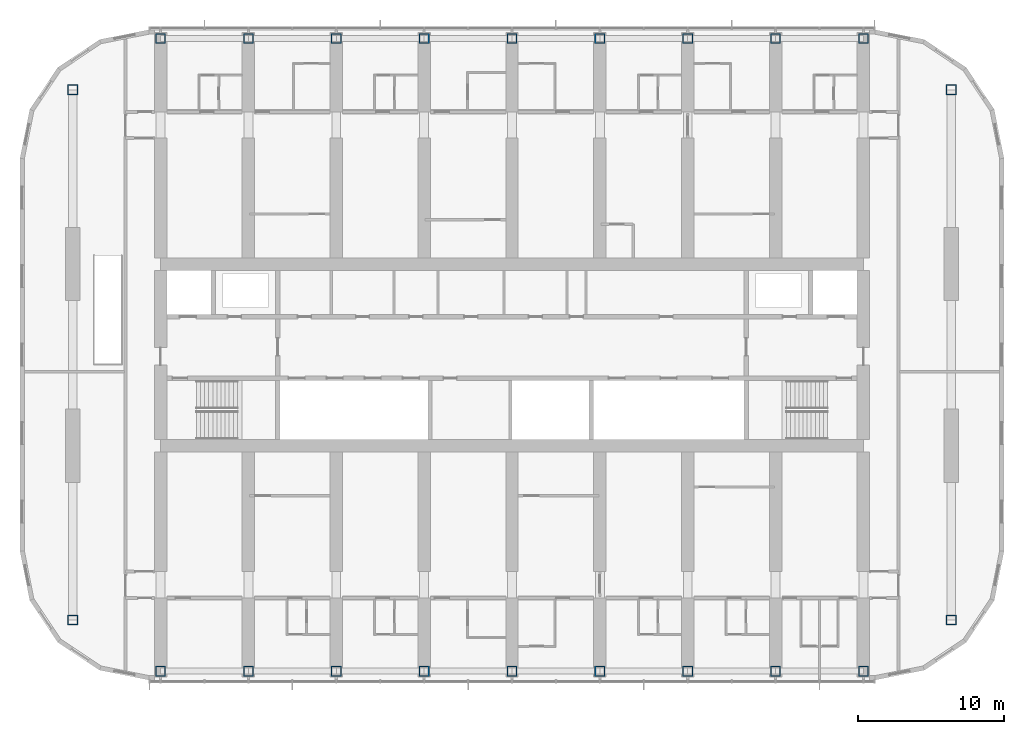
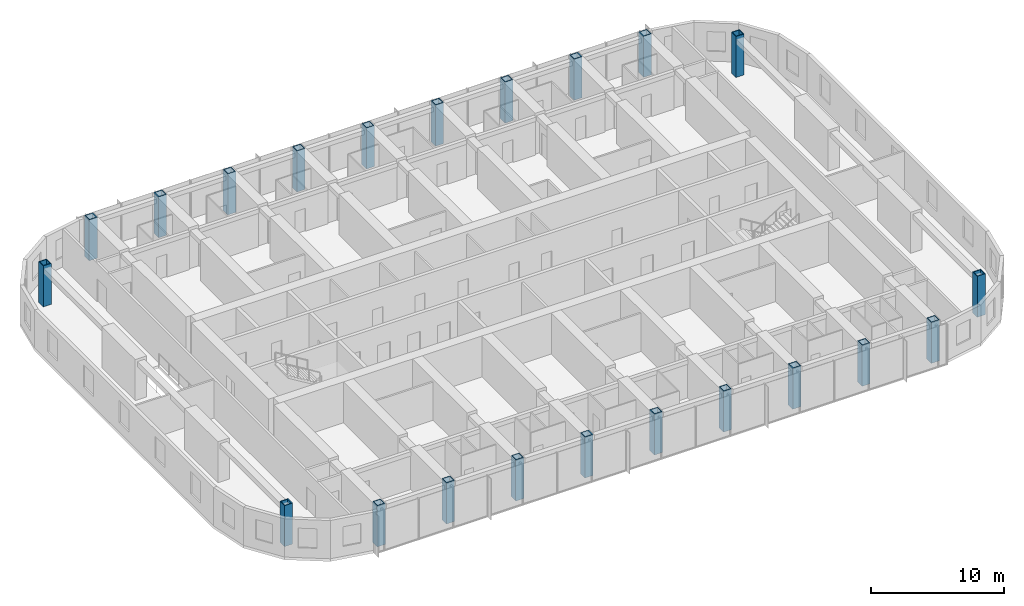
# One storey, part 1 of 22: 22 columns.
"""IFC4 building model written with IfcOpenShell, lengths in metres."""

import ifcopenshell
import ifcopenshell.guid

model = None  # the IFC model being written
_history = None  # IfcOwnerHistory: only IFC2X3 demands one
_inside = {}  # id of a spatial element -> (the spatial element, [elements in it])
_under = {}  # id of a project, library or spatial element -> (it, [spatial elements below it])
_declared = {}  # id of a project -> (the project, [libraries it declares])
_typed = {}  # id of a type object -> (the type object, [elements of that type])
_made_of = {}  # id of a material, layer set ... -> (it, [elements and type objects made of it])


def new_model(schema):
    """Start an empty IFC model of exactly this schema.

    Asked for "IFC4X3", IfcOpenShell would pick the latest addendum, in which some entities
    have other attributes; the version numbers below select the first issue.
    IFC2X3 requires an IfcOwnerHistory on every rooted entity: one is made here for all.
    """
    global model, _history
    if schema == "IFC4X3":
        model = ifcopenshell.file(schema_version=(4, 3, 0, 0))
    else:
        model = ifcopenshell.file(schema=schema)
    _inside.clear()
    _under.clear()
    _declared.clear()
    _typed.clear()
    _made_of.clear()
    _history = None
    if model.schema == "IFC2X3":
        org = make("IfcOrganization", Name="unknown")
        user = make(
            "IfcPersonAndOrganization",
            ThePerson=make("IfcPerson", FamilyName="unknown"),
            TheOrganization=org,
        )
        app = make(
            "IfcApplication",
            ApplicationDeveloper=org,
            Version="unknown",
            ApplicationFullName="unknown",
            ApplicationIdentifier="unknown",
        )
        _history = make(
            "IfcOwnerHistory",
            OwningUser=user,
            OwningApplication=app,
            ChangeAction="ADDED",
            CreationDate=0,
        )
    return model


def make(cls, **values):
    """One entity of the class cls with the attributes given. An attribute that is None is left unset."""
    return model.create_entity(
        cls, **{name: value for name, value in values.items() if value is not None}
    )


def rooted(cls, **values):
    """An entity with a GlobalId (a new one), such as an element, a storey or a relation."""
    return make(cls, GlobalId=ifcopenshell.guid.new(), OwnerHistory=_history, **values)


def si_unit(unit_type, name, prefix=None):
    """IfcSIUnit, for example si_unit("LENGTHUNIT", "METRE", prefix="MILLI")."""
    return make("IfcSIUnit", UnitType=unit_type, Prefix=prefix, Name=name)


def assignment(units):
    """IfcUnitAssignment: the units of a project."""
    return None if units is None else make("IfcUnitAssignment", Units=units)


def point(xyz):
    """IfcCartesianPoint."""
    return None if xyz is None else make("IfcCartesianPoint", Coordinates=xyz)


def direction(xyz):
    """IfcDirection."""
    return None if xyz is None else make("IfcDirection", DirectionRatios=xyz)


def frame(location, z_axis=None, x_axis=None):
    """IfcAxis2Placement3D, a coordinate frame: its origin and axes. An axis left out is left unset."""
    return make(
        "IfcAxis2Placement3D",
        Location=point(location),
        Axis=direction(z_axis),
        RefDirection=direction(x_axis),
    )


def frame_2d(location, x_axis=None):
    """IfcAxis2Placement2D, a coordinate frame in the plane: its origin and x axis."""
    return make(
        "IfcAxis2Placement2D", Location=point(location), RefDirection=direction(x_axis)
    )


def origin():
    """The frame at (0, 0, 0) with its axes left unset."""
    return frame((0.0, 0.0, 0.0))


def origin_2d():
    """The frame at (0, 0) in the plane with its x axis left unset."""
    return frame_2d((0.0, 0.0))


def place(relative_to, where):
    """IfcLocalPlacement: puts the frame where relative to a parent placement (None: the world)."""
    return make(
        "IfcLocalPlacement", PlacementRelTo=relative_to, RelativePlacement=where
    )


def context(
    kind, dimensions, precision=None, world=None, true_north=None, identifier=None
):
    """IfcGeometricRepresentationContext, for example the 3D "Model" context."""
    return make(
        "IfcGeometricRepresentationContext",
        ContextIdentifier=identifier,
        ContextType=kind,
        CoordinateSpaceDimension=dimensions,
        Precision=precision,
        WorldCoordinateSystem=world,
        TrueNorth=true_north,
    )


def subcontext(parent, identifier, kind, view, scale=None):
    """IfcGeometricRepresentationSubContext, for example "Body" below "Model"."""
    return make(
        "IfcGeometricRepresentationSubContext",
        ContextIdentifier=identifier,
        ContextType=kind,
        ParentContext=parent,
        TargetScale=scale,
        TargetView=view,
    )


def project(units=None, contexts=None):
    """IfcProject with its units and contexts."""
    return rooted(
        "IfcProject",
        Name="project",
        RepresentationContexts=contexts,
        UnitsInContext=assignment(units),
    )


def spatial(cls, under=None, at=None, **own):
    """A site, building, storey or space (cls), placed at a placement, below another one or the project."""
    s = rooted(cls, ObjectPlacement=at, **own)
    if under is not None:
        _under.setdefault(under.id(), (under, []))[1].append(s)
    return s


def profile(cls, at=None, kind="AREA", **sizes):
    """A parametric profile (cls). Its sizes go by their IFC names, for example OverallWidth=200.0."""
    return make(cls, ProfileType=kind, Position=at, **sizes)


def hollow_rectangle(**sizes):
    """IfcRectangleHollowProfileDef."""
    return profile("IfcRectangleHollowProfileDef", **sizes)


def extrude(swept, where, along, depth):
    """IfcExtrudedAreaSolid: the profile swept, set in the frame where, extruded along a direction by depth."""
    return make(
        "IfcExtrudedAreaSolid",
        SweptArea=swept,
        Position=where,
        ExtrudedDirection=direction(along),
        Depth=depth,
    )


def shape(context_of_items, identifier, shape_type, items):
    """IfcShapeRepresentation: the items that make up one representation, for example the "Body"."""
    return make(
        "IfcShapeRepresentation",
        ContextOfItems=context_of_items,
        RepresentationIdentifier=identifier,
        RepresentationType=shape_type,
        Items=items,
    )


def material(Name=None, Category=None):
    """IfcMaterial."""
    return make("IfcMaterial", Name=Name, Category=Category)


def material_profile(
    of_material, cross_section, Name=None, Category=None, Priority=None
):
    """IfcMaterialProfile: a cross section and its material."""
    return make(
        "IfcMaterialProfile",
        Name=Name,
        Material=of_material,
        Profile=cross_section,
        Priority=Priority,
        Category=Category,
    )


def profile_set(profiles, Name=None, composite=None):
    """IfcMaterialProfileSet."""
    return make(
        "IfcMaterialProfileSet",
        Name=Name,
        MaterialProfiles=profiles,
        CompositeProfile=composite,
    )


def made_of(thing, what):
    """Note that an element or type object is made of a material, layer set ...; save() writes the relation."""
    if what is not None:
        _made_of.setdefault(what.id(), (what, []))[1].append(thing)
    return thing


def type_object(cls, material=None, **own):
    """A type object (cls), such as IfcWallType, which elements share."""
    return made_of(rooted(cls, **own), material)


def element(
    cls,
    number,
    at=None,
    inside=None,
    cuts=None,
    type_object=None,
    material=None,
    context=None,
    identifier="Body",
    shape_type=None,
    held_by="IfcProductDefinitionShape",
    body=None,
    shapes=None,
    **own,
):
    """One element of the class cls, such as IfcWall. Its Tag is "e" and its number.

    at: its placement. inside: the storey or other place that contains it. cuts: it is an
    opening in that element (IfcRelVoidsElement). A single representation is given by context,
    identifier, shape_type and body (its items); several are given by shapes. held_by: the class
    of the entity that holds the representations. save() writes the other relations.
    """
    e = rooted(cls, Tag="e%d" % number, ObjectPlacement=at, **own)
    if body is not None:
        shapes = [shape(context, identifier, shape_type, body)]
    if shapes is not None:
        e.Representation = make(held_by, Representations=shapes)
    if inside is not None:
        _inside.setdefault(inside.id(), (inside, []))[1].append(e)
    if cuts is not None:
        rooted(
            "IfcRelVoidsElement", RelatingBuildingElement=cuts, RelatedOpeningElement=e
        )
    if type_object is not None:
        _typed.setdefault(type_object.id(), (type_object, []))[1].append(e)
    return made_of(e, material)


def aggregate(whole, parts):
    """IfcRelAggregates: a whole, such as a stair, and the parts it consists of."""
    return rooted("IfcRelAggregates", RelatingObject=whole, RelatedObjects=parts)


def save(model, path):
    """Write the relations noted so far, then the file.

    IfcRelAggregates (storeys below a building ...), IfcRelContainedInSpatialStructure (elements
    in a storey), IfcRelDefinesByType, IfcRelAssociatesMaterial and IfcRelDeclares: one each for
    every whole, place, type object, material and project.
    """
    for whole, parts in _under.values():
        aggregate(whole, parts)
    for where, things in _inside.values():
        rooted(
            "IfcRelContainedInSpatialStructure",
            RelatedElements=things,
            RelatingStructure=where,
        )
    for kind, things in _typed.values():
        rooted("IfcRelDefinesByType", RelatedObjects=things, RelatingType=kind)
    for what, things in _made_of.values():
        rooted("IfcRelAssociatesMaterial", RelatedObjects=things, RelatingMaterial=what)
    for by, libraries in _declared.values():
        rooted("IfcRelDeclares", RelatingContext=by, RelatedDefinitions=libraries)
    model.write(path)


model = new_model("IFC4")

# Units and contexts
model_context = context("Model", 3, precision=1e-05, world=origin(), true_north=direction((0.0, 1.0)))
body_context = subcontext(model_context, "Body", "Model", "MODEL_VIEW")
ifc_project = project(units=[si_unit("LENGTHUNIT", "METRE"), si_unit("AREAUNIT", "SQUARE_METRE"), si_unit("VOLUMEUNIT", "CUBIC_METRE"), si_unit("PLANEANGLEUNIT", "RADIAN"), si_unit("MASSUNIT", "GRAM", prefix="KILO")], contexts=[model_context])

# Site, building, storey
site_placement = place(None, origin())
site = spatial("IfcSite", under=ifc_project, at=site_placement, CompositionType="ELEMENT")
building_placement = place(site_placement, origin())
building = spatial("IfcBuilding", under=site, at=building_placement, Name="Orbita Commons", CompositionType="ELEMENT")
storey_placement = place(building_placement, frame((0.0, 0.0, 182.35009765625)))
storey = spatial("IfcBuildingStorey", under=building, at=storey_placement, Name="L45", CompositionType="ELEMENT", Elevation=182.35009765625)

# Columns
ifc_material = material(Name="Steel ASTM A572 Gr 50 welded plate", Category="steel")
ifc_material_profile = material_profile(ifc_material, hollow_rectangle(XDim=0.699951171875, YDim=0.699951171875, WallThickness=0.070068359375, at=origin_2d()), Name="BOX 700x700x70")
ifc_profile_set = profile_set([ifc_material_profile], Name="Steel ASTM A572 Gr 50 welded plate")
column_type = type_object("IfcColumnType", Name="Steel column BOX 700x700x70", PredefinedType="COLUMN", material=ifc_profile_set)
for number, where, z_axis, x_axis, name in (
    (1, (18.0, 10.39990234375, 0.0), (0.0, 0.0, 1.0), (1.0, 0.0, 0.0), "Column 4/B L45"),
    (2, (18.0, 53.60009765625, 0.0), (0.0, 0.0, 1.0), (1.0, 0.0, 0.0), "Column 4/E L45"),
    (3, (24.0, 10.39990234375, 0.0), (0.0, 0.0, 1.0), (1.0, 0.0, 0.0), "Column 5/B L45"),
    (4, (24.0, 53.60009765625, 0.0), (0.0, 0.0, 1.0), (1.0, 0.0, 0.0), "Column 5/E L45"),
    (5, (30.0, 10.39990234375, 0.0), (0.0, 0.0, 1.0), (1.0, 0.0, 0.0), "Column 6/B L45"),
    (6, (30.0, 53.60009765625, 0.0), (0.0, 0.0, 1.0), (1.0, 0.0, 0.0), "Column 6/E L45"),
    (7, (36.0, 10.39990234375, 0.0), (0.0, 0.0, 1.0), (1.0, 0.0, 0.0), "Column 7/B L45"),
    (8, (36.0, 53.60009765625, 0.0), (0.0, 0.0, 1.0), (1.0, 0.0, 0.0), "Column 7/E L45"),
    (9, (42.0, 10.39990234375, 0.0), (0.0, 0.0, 1.0), (1.0, 0.0, 0.0), "Column 8/B L45"),
    (10, (42.0, 53.60009765625, 0.0), (0.0, 0.0, 1.0), (1.0, 0.0, 0.0), "Column 8/E L45"),
    (11, (48.0, 10.39990234375, 0.0), (0.0, 0.0, 1.0), (1.0, 0.0, 0.0), "Column 9/B L45"),
    (12, (48.0, 53.60009765625, 0.0), (0.0, 0.0, 1.0), (1.0, 0.0, 0.0), "Column 9/E L45"),
    (13, (54.0, 10.39990234375, 0.0), (0.0, 0.0, 1.0), (1.0, 0.0, 0.0), "Column 10/B L45"),
    (14, (54.0, 53.60009765625, 0.0), (0.0, 0.0, 1.0), (1.0, 0.0, 0.0), "Column 10/E L45"),
    (15, (60.0, 10.39990234375, 0.0), (0.0, 0.0, 1.0), (1.0, 0.0, 0.0), "Column 11/B L45"),
    (16, (60.0, 53.60009765625, 0.0), (0.0, 0.0, 1.0), (1.0, 0.0, 0.0), "Column 11/E L45"),
    (17, (66.0, 10.39990234375, 0.0), (0.0, 0.0, 1.0), (1.0, 0.0, 0.0), "Column 12/B L45"),
    (18, (66.0, 53.60009765625, 0.0), (0.0, 0.0, 1.0), (1.0, 0.0, 0.0), "Column 12/E L45"),
    (19, (12.0, 13.89990234375, 0.0), (0.0, 0.0, 1.0), (1.0, 0.0, 0.0), "Column 3/13.9 L45"),
    (20, (12.0, 50.10009765625, 0.0), (0.0, 0.0, 1.0), (1.0, 0.0, 0.0), "Column 3/50.1 L45"),
    (21, (72.0, 13.89990234375, 0.0), (0.0, 0.0, 1.0), (1.0, 0.0, 0.0), "Column 13/13.9 L45"),
    (22, (72.0, 50.10009765625, 0.0), (0.0, 0.0, 1.0), (1.0, 0.0, 0.0), "Column 13/50.1 L45"),
):
    element("IfcColumn", number, at=place(storey_placement, frame(where, z_axis=z_axis, x_axis=x_axis)), inside=storey, type_object=column_type, Name=name, PredefinedType="COLUMN", context=body_context, shape_type="SweptSolid", body=[
        extrude(hollow_rectangle(XDim=0.699951171875, YDim=0.699951171875, WallThickness=0.070068359375, at=origin_2d()), origin(), (0.0, 0.0, 1.0), 3.75),
    ])

save(model, "model.ifc")
